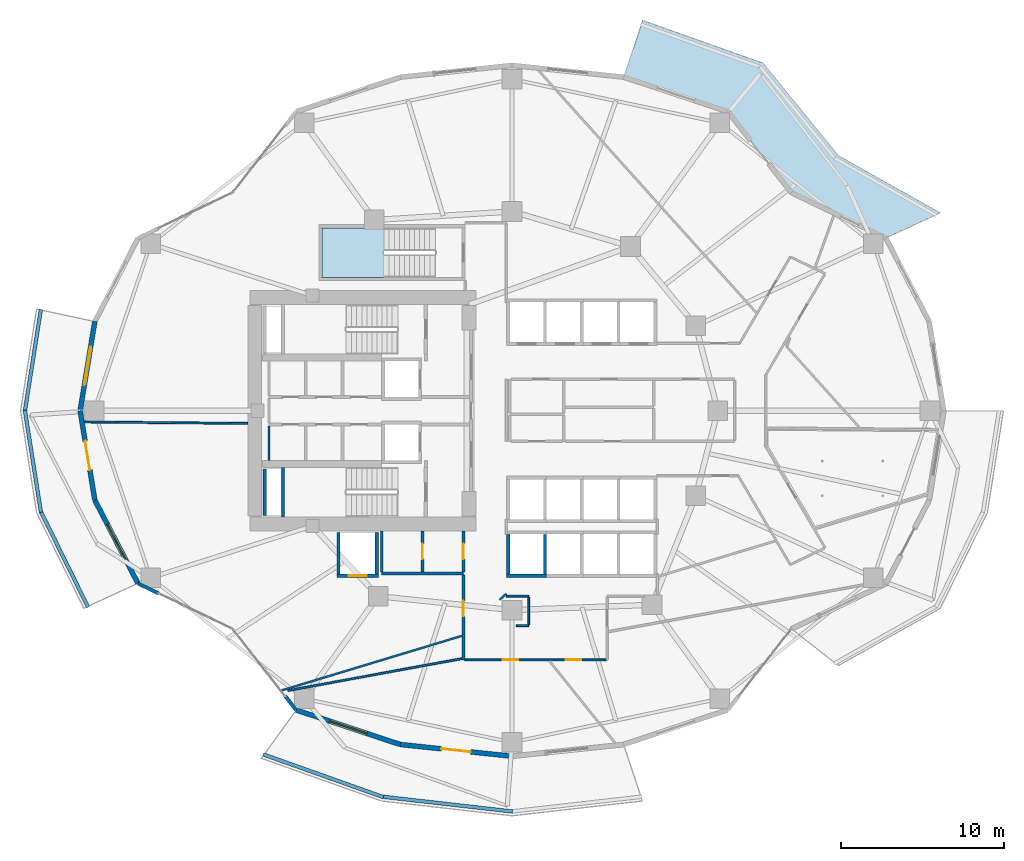
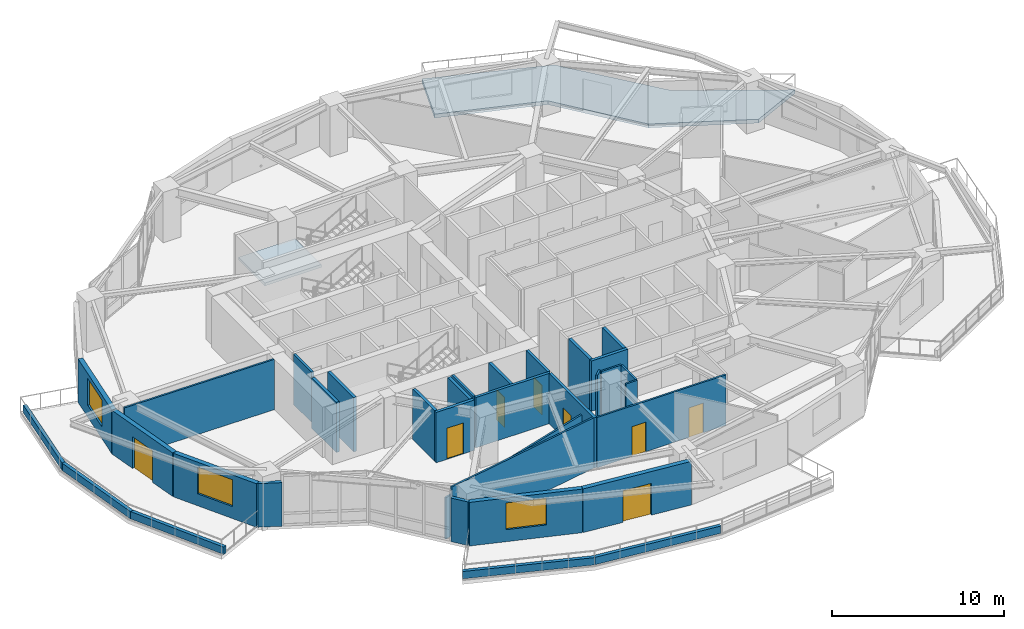
# One storey, part 8 of 18: 34 walls, 8 doors, 3 windows, 2 slabs, 11 openings, 1 element without a shape of its own.
"""IFC4 building model written with IfcOpenShell, lengths in metres."""

from ifc_helpers import new_model, si_unit, direction, frame, frame_2d, origin, place, context, subcontext, project, spatial, polyline, rectangle, outline, extrude, material, layer, layer_set, type_object, element, fill, aggregate, save


model = new_model("IFC4")

# Units and contexts
model_context = context("Model", 3, precision=1e-05, world=origin(), true_north=direction((0.0, 1.0)))
body_context = subcontext(model_context, "Body", "Model", "MODEL_VIEW")
ifc_project = project(units=[si_unit("LENGTHUNIT", "METRE"), si_unit("AREAUNIT", "SQUARE_METRE"), si_unit("VOLUMEUNIT", "CUBIC_METRE"), si_unit("PLANEANGLEUNIT", "RADIAN"), si_unit("MASSUNIT", "GRAM", prefix="KILO")], contexts=[model_context])

# Site, building, storey
site_placement = place(None, origin())
site = spatial("IfcSite", under=ifc_project, at=site_placement, CompositionType="ELEMENT")
building_placement = place(site_placement, origin())
building = spatial("IfcBuilding", under=site, at=building_placement, Name="Kolvaren Gate Tower and Convention Centre", CompositionType="ELEMENT")
storey_placement = place(building_placement, frame((0.0, 0.0, 53.449951171875)))
storey = spatial("IfcBuildingStorey", under=building, at=storey_placement, Name="L12", CompositionType="ELEMENT", Elevation=53.449951171875)

# Slab
ifc_material_1 = material(Name="Concrete C50/60", Category="concrete")
ifc_layer_1 = layer(ifc_material_1, 0.27001953125)
ifc_layer_set_1 = layer_set([ifc_layer_1], Name="Concrete C50/60")
slab_type_1 = type_object("IfcSlabType", Name="STR-SL-BALC-270", PredefinedType="FLOOR", material=ifc_layer_set_1)
slab_1_placement = place(storey_placement, frame((0.0, 0.0, -0.27001953125)))
element("IfcSlab", 1, at=slab_1_placement, inside=storey, type_object=slab_type_1, Name="Tower L12 Planted Balcony Terrace Slab 1 (North)", PredefinedType="FLOOR", context=body_context, shape_type="SweptSolid", body=[
    extrude(outline(polyline([(53.0205078125, 37.574951171875), (47.223876953125, 40.360107421875), (43.34375, 45.31640625), (36.967529296875, 47.42919921875), (38.1298828125, 50.89990234375), (45.485595703125, 48.2841796875), (50.10791015625, 42.613525390625), (56.34326171875, 39.109619140625), (53.0205078125, 37.574951171875)])), origin(), (0.0, 0.0, 1.0), 0.27001953125),
])

# Stair, slab
stair_type = type_object("IfcStairType", Name="STR-STAIR-CORE", PredefinedType="HALF_TURN_STAIR", material=ifc_material_1)
stair_placement = place(storey_placement, origin())
stair = element("IfcStair", 2, at=stair_placement, inside=storey, type_object=stair_type, Name="L12 Tower Mid-Zone Exit Stair ST-T3", PredefinedType="HALF_TURN_STAIR")
ifc_layer_2 = layer(ifc_material_1, 0.199951171875)
ifc_layer_set_2 = layer_set([ifc_layer_2], Name="Concrete C50/60")
slab_type_2 = type_object("IfcSlabType", Name="STR-SL-LAND-200", PredefinedType="LANDING", material=ifc_layer_set_2)
slab_2_placement = place(storey_placement, frame((0.0, 0.0, 1.72509765625)))
slab_2 = element("IfcSlab", 3, at=slab_2_placement, type_object=slab_type_2, Name="ST-T3 landing 1", PredefinedType="LANDING", context=body_context, shape_type="SweptSolid", body=[
    extrude(outline(polyline([(22.300048828125, 38.199951171875), (18.5, 38.199951171875), (18.5, 35.159912109375), (22.300048828125, 35.159912109375), (22.300048828125, 38.199951171875)])), origin(), (0.0, 0.0, 1.0), 0.199951171875),
])
aggregate(stair, [slab_2])

# Wall
ifc_material_2 = material(Name="Autoclaved Aerated Masonry Blockwork Class 4 (4.0 MPa)", Category="masonry")
ifc_layer_3 = layer(ifc_material_2, 0.179931640625)
ifc_layer_set_3 = layer_set([ifc_layer_3], Name="Autoclaved Aerated Masonry Blockwork Class 4 (4.0 MPa)")
wall_type_1 = type_object("IfcWallType", Name="ARCH-WL-COMP-180", PredefinedType="SOLIDWALL", material=ifc_layer_set_3)
wall_1_placement = place(storey_placement, frame((22.14990234375, 17.050048828125, 0.0), z_axis=(0.0, 0.0, 1.0), x_axis=(1.0, 0.0, 0.0)))
element("IfcWall", 4, at=wall_1_placement, inside=storey, type_object=wall_type_1, Name="Interior Partition WL-L12-INT-011", PredefinedType="SOLIDWALL", context=body_context, shape_type="SweptSolid", body=[
    extrude(rectangle(XDim=5.0, YDim=0.179931640625, at=frame_2d((2.5, 0.0))), origin(), (0.0, 0.0, 1.0), 3.570068359375),
])

# Wall, opening, door
wall_2_placement = place(storey_placement, frame((24.64990234375, 17.14208984375, 0.0), z_axis=(0.0, 0.0, 1.0), x_axis=(0.0, 1.0, 0.0)))
wall_2 = element("IfcWall", 5, at=wall_2_placement, inside=storey, type_object=wall_type_1, Name="Interior Partition WL-L12-INT-013", PredefinedType="SOLIDWALL", context=body_context, shape_type="SweptSolid", body=[
    extrude(rectangle(XDim=2.505859375, YDim=0.179931640625, at=frame_2d((1.2529296875, 0.0))), origin(), (0.0, 0.0, 1.0), 3.570068359375),
])
opening_1_placement = place(wall_2_placement, frame((0.778076171875, 0.0, 0.0)))
opening_1 = element("IfcOpeningElement", 6, at=opening_1_placement, cuts=wall_2, Name="Opening DR-01", PredefinedType="OPENING", context=body_context, shape_type="SweptSolid", body=[
    extrude(rectangle(XDim=0.949951171875, YDim=2.10009765625, at=frame_2d((0.47509765625, 1.050048828125))), frame((0.0, 0.099853515625, 0.0), z_axis=(0.0, -1.0, 0.0), x_axis=(1.0, 0.0, 0.0)), (0.0, 0.0, 1.0), 0.199951171875),
])
ifc_material_3 = material(Name="Painted Architectural Steelwork ASTM A500 Grade C 345 MPa", Category="steel")
door_type_1 = type_object("IfcDoorType", Name="ARCH-DR-RISER-950", OperationType="SINGLE_SWING_RIGHT", PredefinedType="DOOR", material=ifc_material_3)
door_1_placement = place(opening_1_placement, origin())
door_1 = element("IfcDoor", 7, at=door_1_placement, inside=storey, type_object=door_type_1, Name="West Valet Store Door", OperationType="SINGLE_SWING_LEFT", OverallHeight=2.10009765625, OverallWidth=0.949951171875, PredefinedType="DOOR", context=body_context, shape_type="SweptSolid", body=[
    extrude(rectangle(XDim=0.949951171875, YDim=2.10009765625, at=frame_2d((0.47509765625, 1.050048828125))), frame((0.0, 0.02490234375, 0.0), z_axis=(0.0, -1.0, 0.0), x_axis=(1.0, 0.0, 0.0)), (0.0, 0.0, 1.0), 0.050048828125),
])
fill(opening_1, door_1)

wall_3_placement = place(storey_placement, frame((27.14990234375, 11.75, 0.0), z_axis=(0.0, 0.0, 1.0), x_axis=(0.0, 1.0, 0.0)))
wall_3 = element("IfcWall", 8, at=wall_3_placement, inside=storey, type_object=wall_type_1, Name="Interior Partition WL-L12-INT-014", PredefinedType="SOLIDWALL", context=body_context, shape_type="SweptSolid", body=[
    extrude(rectangle(XDim=5.2080078125, YDim=0.179931640625, at=frame_2d((2.60400390625, 0.0))), origin(), (0.0, 0.0, 1.0), 3.570068359375),
])
opening_2_placement = place(wall_3_placement, frame((2.668212890625, 0.0, 0.0)))
opening_2 = element("IfcOpeningElement", 9, at=opening_2_placement, cuts=wall_3, Name="Opening DR-01", PredefinedType="OPENING", context=body_context, shape_type="SweptSolid", body=[
    extrude(rectangle(XDim=0.949951171875, YDim=2.10009765625, at=frame_2d((0.47509765625, 1.050048828125))), frame((0.0, 0.099853515625, 0.0), z_axis=(0.0, -1.0, 0.0), x_axis=(1.0, 0.0, 0.0)), (0.0, 0.0, 1.0), 0.199951171875),
])
door_2_placement = place(opening_2_placement, origin())
door_2 = element("IfcDoor", 10, at=door_2_placement, inside=storey, type_object=door_type_1, Name="Grand Client Arrival Foyer Door", OperationType="SINGLE_SWING_LEFT", OverallHeight=2.10009765625, OverallWidth=0.949951171875, PredefinedType="DOOR", context=body_context, shape_type="SweptSolid", body=[
    extrude(rectangle(XDim=0.949951171875, YDim=2.10009765625, at=frame_2d((0.47509765625, 1.050048828125))), frame((0.0, 0.02490234375, 0.0), z_axis=(0.0, -1.0, 0.0), x_axis=(1.0, 0.0, 0.0)), (0.0, 0.0, 1.0), 0.050048828125),
])
fill(opening_2, door_2)

wall_4_placement = place(storey_placement, frame((27.14990234375, 17.14208984375, 0.0), z_axis=(0.0, 0.0, 1.0), x_axis=(0.0, 1.0, 0.0)))
wall_4 = element("IfcWall", 11, at=wall_4_placement, inside=storey, type_object=wall_type_1, Name="Interior Partition WL-L12-INT-014 (2)", PredefinedType="SOLIDWALL", context=body_context, shape_type="SweptSolid", body=[
    extrude(rectangle(XDim=2.505859375, YDim=0.179931640625, at=frame_2d((1.2529296875, 0.0))), origin(), (0.0, 0.0, 1.0), 3.570068359375),
])
opening_3_placement = place(wall_4_placement, frame((0.778076171875, 0.0, 0.0)))
opening_3 = element("IfcOpeningElement", 12, at=opening_3_placement, cuts=wall_4, Name="Opening DR-01", PredefinedType="OPENING", context=body_context, shape_type="SweptSolid", body=[
    extrude(rectangle(XDim=0.949951171875, YDim=2.10009765625, at=frame_2d((0.47509765625, 1.050048828125))), frame((0.0, 0.099853515625, 0.0), z_axis=(0.0, -1.0, 0.0), x_axis=(1.0, 0.0, 0.0)), (0.0, 0.0, 1.0), 0.199951171875),
])
door_3_placement = place(opening_3_placement, origin())
door_3 = element("IfcDoor", 13, at=door_3_placement, inside=storey, type_object=door_type_1, Name="Metering Switch Room Door", OperationType="SINGLE_SWING_RIGHT", OverallHeight=2.10009765625, OverallWidth=0.949951171875, PredefinedType="DOOR", context=body_context, shape_type="SweptSolid", body=[
    extrude(rectangle(XDim=0.949951171875, YDim=2.10009765625, at=frame_2d((0.47509765625, 1.050048828125))), frame((0.0, 0.02490234375, 0.0), z_axis=(0.0, -1.0, 0.0), x_axis=(1.0, 0.0, 0.0)), (0.0, 0.0, 1.0), 0.050048828125),
])
fill(opening_3, door_3)

# Wall
ifc_material_4 = material(Name="Fire-Rated Acoustic Gypsum Stud Partition", Category="gypsum")
ifc_layer_4 = layer(ifc_material_4, 0.1201171875)
ifc_layer_set_4 = layer_set([ifc_layer_4], Name="Fire-Rated Acoustic Gypsum Stud Partition")
wall_type_2 = type_object("IfcWallType", Name="ARCH-WL-PART-120", PredefinedType="PARTITIONING", material=ifc_layer_set_4)
wall_5_placement = place(storey_placement, frame((29.780029296875, 15.64990234375, 0.0), z_axis=(0.0, 0.0, 1.0), x_axis=(1.0, 0.0, 0.0)))
element("IfcWall", 14, at=wall_5_placement, inside=storey, type_object=wall_type_2, Name="Interior Partition WL-L12-INT-022", PredefinedType="PARTITIONING", context=body_context, shape_type="SweptSolid", body=[
    extrude(rectangle(XDim=1.369873046875, YDim=0.1201171875, at=frame_2d((0.68505859375, 0.0))), origin(), (0.0, 0.0, 1.0), 3.570068359375),
])

# Wall, openings, doors
wall_6_placement = place(storey_placement, frame((27.241943359375, 11.75, 0.0), z_axis=(0.0, 0.0, 1.0), x_axis=(1.0, 0.0, 0.0)))
wall_6 = element("IfcWall", 15, at=wall_6_placement, inside=storey, type_object=wall_type_2, Name="Interior Partition WL-L12-INT-025", PredefinedType="PARTITIONING", context=body_context, shape_type="SweptSolid", body=[
    extrude(rectangle(XDim=8.64599609375, YDim=0.1201171875, at=frame_2d((4.322998046875, 0.0))), origin(), (0.0, 0.0, 1.0), 3.570068359375),
])
opening_4_placement = place(wall_6_placement, frame((2.32177734375, 0.0, 0.0)))
opening_4 = element("IfcOpeningElement", 16, at=opening_4_placement, cuts=wall_6, Name="Opening DR-01", PredefinedType="OPENING", context=body_context, shape_type="SweptSolid", body=[
    extrude(rectangle(XDim=0.949951171875, YDim=2.10009765625, at=frame_2d((0.47509765625, 1.050048828125))), frame((0.0, 0.070068359375, 0.0), z_axis=(0.0, -1.0, 0.0), x_axis=(1.0, 0.0, 0.0)), (0.0, 0.0, 1.0), 0.14013671875),
])
opening_5_placement = place(wall_6_placement, frame((6.167236328125, 0.0, 0.0)))
opening_5 = element("IfcOpeningElement", 17, at=opening_5_placement, cuts=wall_6, Name="Opening DR-01", PredefinedType="OPENING", context=body_context, shape_type="SweptSolid", body=[
    extrude(rectangle(XDim=0.949951171875, YDim=2.10009765625, at=frame_2d((0.47509765625, 1.050048828125))), frame((0.0, 0.070068359375, 0.0), z_axis=(0.0, -1.0, 0.0), x_axis=(1.0, 0.0, 0.0)), (0.0, 0.0, 1.0), 0.14013671875),
])
door_4_placement = place(opening_4_placement, origin())
door_4 = element("IfcDoor", 18, at=door_4_placement, inside=storey, type_object=door_type_1, Name="Visitor Arrival Foyer Door", OperationType="SINGLE_SWING_RIGHT", OverallHeight=2.10009765625, OverallWidth=0.949951171875, PredefinedType="DOOR", context=body_context, shape_type="SweptSolid", body=[
    extrude(rectangle(XDim=0.949951171875, YDim=2.10009765625, at=frame_2d((0.47509765625, 1.050048828125))), frame((0.0, 0.02490234375, 0.0), z_axis=(0.0, -1.0, 0.0), x_axis=(1.0, 0.0, 0.0)), (0.0, 0.0, 1.0), 0.050048828125),
])
fill(opening_4, door_4)
door_5_placement = place(opening_5_placement, origin())
door_5 = element("IfcDoor", 19, at=door_5_placement, inside=storey, type_object=door_type_1, Name="Materials Exhibition Boutique Door", OperationType="SINGLE_SWING_LEFT", OverallHeight=2.10009765625, OverallWidth=0.949951171875, PredefinedType="DOOR", context=body_context, shape_type="SweptSolid", body=[
    extrude(rectangle(XDim=0.949951171875, YDim=2.10009765625, at=frame_2d((0.47509765625, 1.050048828125))), frame((0.0, 0.02490234375, 0.0), z_axis=(0.0, -1.0, 0.0), x_axis=(1.0, 0.0, 0.0)), (0.0, 0.0, 1.0), 0.050048828125),
])
fill(opening_5, door_5)

# Walls
wall_7_placement = place(storey_placement, frame((29.366943359375, 15.422119140625, 0.0), z_axis=(0.0, 0.0, 1.0), x_axis=(0.730667420492, 0.682733564893, 0.0)))
element("IfcWall", 20, at=wall_7_placement, inside=storey, type_object=wall_type_2, Name="Interior Partition WL-L12-INT-042", PredefinedType="PARTITIONING", context=body_context, shape_type="SweptSolid", body=[
    extrude(rectangle(XDim=0.5654296875, YDim=0.1201171875, at=frame_2d((0.28271484375, 0.0))), origin(), (0.0, 0.0, 1.0), 3.570068359375),
])
wall_8_placement = place(storey_placement, frame((30.39111328125, 13.85009765625, 0.0), z_axis=(0.0, 0.0, 1.0), x_axis=(1.0, 0.0, 0.0)))
element("IfcWall", 21, at=wall_8_placement, inside=storey, type_object=wall_type_2, Name="Interior Partition WL-L12-INT-043", PredefinedType="PARTITIONING", context=body_context, shape_type="SweptSolid", body=[
    extrude(rectangle(XDim=0.7587890625, YDim=0.1201171875, at=frame_2d((0.37939453125, 0.0))), origin(), (0.0, 0.0, 1.0), 3.570068359375),
])
wall_9_placement = place(storey_placement, frame((31.14990234375, 13.912109375, 0.0), z_axis=(0.0, 0.0, 1.0), x_axis=(0.0, 1.0, 0.0)))
element("IfcWall", 22, at=wall_9_placement, inside=storey, type_object=wall_type_2, Name="Interior Partition WL-L12-INT-044", PredefinedType="PARTITIONING", context=body_context, shape_type="SweptSolid", body=[
    extrude(rectangle(XDim=1.67578125, YDim=0.1201171875, at=frame_2d((0.837890625, 0.0))), origin(), (0.0, 0.0, 1.0), 3.570068359375),
])
wall_10_placement = place(storey_placement, frame((3.954345703125, 26.314453125, 0.0), z_axis=(0.0, 0.0, 1.0), x_axis=(0.999960465282, -0.008892011759, 0.0)))
element("IfcWall", 23, at=wall_10_placement, inside=storey, type_object=wall_type_2, Name="Interior Partition WL-L12-INT-045", PredefinedType="PARTITIONING", context=body_context, shape_type="SweptSolid", body=[
    extrude(rectangle(XDim=9.994140625, YDim=0.1201171875, at=frame_2d((4.9970703125, 0.0))), origin(), (0.0, 0.0, 1.0), 3.570068359375),
])
wall_11_placement = place(storey_placement, frame((16.00244140625, 9.875244140625, 0.0), z_axis=(0.0, 0.0, 1.0), x_axis=(0.957126559036, 0.289670070921, 0.0)))
element("IfcWall", 24, at=wall_11_placement, inside=storey, type_object=wall_type_2, Name="Interior Partition WL-L12-INT-047", PredefinedType="PARTITIONING", context=body_context, shape_type="SweptSolid", body=[
    extrude(rectangle(XDim=11.55078125, YDim=0.1201171875, at=frame_2d((5.775390625, 0.0))), origin(), (0.0, 0.0, 1.0), 2.93408203125),
])
wall_12_placement = place(storey_placement, frame((16.410400390625, 9.871337890625, 0.0), z_axis=(0.0, 0.0, 1.0), x_axis=(0.983545367139, 0.180661315116, 0.0)))
element("IfcWall", 25, at=wall_12_placement, inside=storey, type_object=wall_type_2, Name="Interior Partition WL-L12-INT-050", PredefinedType="PARTITIONING", context=body_context, shape_type="SweptSolid", body=[
    extrude(rectangle(XDim=10.825927734375, YDim=0.1201171875, at=frame_2d((5.4130859375, 0.0))), origin(), (0.0, 0.0, 1.0), 3.570068359375),
])
ifc_material_5 = material(Name="Bogota Sabana Bush-Hammered Sandstone Cladding", Category="masonry")
ifc_layer_5 = layer(ifc_material_5, 0.219970703125)
ifc_layer_set_5 = layer_set([ifc_layer_5], Name="Bogota Sabana Bush-Hammered Sandstone Cladding")
wall_type_3 = type_object("IfcWallType", Name="ARCH-WL-PIER-220", PredefinedType="SOLIDWALL", material=ifc_layer_set_5)
wall_13_placement = place(storey_placement, frame((7.2294921875, 16.425048828125, 0.0), z_axis=(0.0, 0.0, 1.0), x_axis=(0.90135196348, -0.433087332914, 0.0)))
element("IfcWall", 26, at=wall_13_placement, inside=storey, type_object=wall_type_3, Name="Tower L12 Unitised Curtain Wall CW-OFF-UNIT Bay 14 Left Column Pier Wrap", PredefinedType="SOLIDWALL", context=body_context, shape_type="SweptSolid", body=[
    extrude(rectangle(XDim=1.381103515625, YDim=0.219970703125, at=frame_2d((0.6904296875, 0.0))), origin(), (0.0, 0.0, 1.0), 3.093017578125),
])
wall_14_placement = place(storey_placement, frame((16.24267578125, 9.53125, 0.0), z_axis=(0.0, 0.0, 1.0), x_axis=(0.616418327775, -0.787418849903, 0.0)))
element("IfcWall", 27, at=wall_14_placement, inside=storey, type_object=wall_type_3, Name="Tower L12 Unitised Curtain Wall CW-OFF-UNIT Bay 15 Right Column Pier Wrap", PredefinedType="SOLIDWALL", context=body_context, shape_type="SweptSolid", body=[
    extrude(rectangle(XDim=1.076416015625, YDim=0.219970703125, at=frame_2d((0.5380859375, 0.0))), origin(), (0.0, 0.0, 1.0), 3.093017578125),
])
ifc_material_6 = material(Name="Piedmont Cream Honed Limestone Cladding", Category="masonry")
ifc_layer_6 = layer(ifc_material_6, 0.219970703125)
ifc_layer_set_6 = layer_set([ifc_layer_6], Name="Piedmont Cream Honed Limestone Cladding")
wall_type_4 = type_object("IfcWallType", Name="ARCH-WL-PLANTER-220", PredefinedType="PARAPET", material=ifc_layer_set_6)
for number, where, z_axis, x_axis, name in (
    (28, (0.305908203125, 26.970703125, 0.0), (0.0, 0.0, 1.0), (0.15545655238, 0.987842730561, 0.0), "Vertical-Forest Balcony Stone Planter Kerb PK-L12-2.1"),
    (29, (0.305908203125, 27.029296875, 0.0), (0.0, 0.0, 1.0), (0.15545655238, -0.987842730561, 0.0), "Vertical-Forest Balcony Stone Planter Kerb PK-L12-2.2"),
):
    element("IfcWall", number, at=place(storey_placement, frame(where, z_axis=z_axis, x_axis=x_axis)), inside=storey, type_object=wall_type_4, Name=name, PredefinedType="PARAPET", context=body_context, shape_type="SweptSolid", body=[
        extrude(rectangle(XDim=6.318115234375, YDim=0.219970703125, at=frame_2d((3.1591796875, 0.0))), origin(), (0.0, 0.0, 1.0), 0.52001953125),
    ])
wall_15_placement = place(storey_placement, frame((1.275390625, 20.846923828125, 0.0), z_axis=(0.0, 0.0, 1.0), x_axis=(0.442686636348, -0.89667638644, 0.0)))
element("IfcWall", 30, at=wall_15_placement, inside=storey, type_object=wall_type_4, Name="Vertical-Forest Balcony Stone Planter Kerb PK-L12-2.3", PredefinedType="PARAPET", context=body_context, shape_type="SweptSolid", body=[
    extrude(rectangle(XDim=6.544677734375, YDim=0.219970703125, at=frame_2d((3.2724609375, 0.0))), origin(), (0.0, 0.0, 1.0), 0.52001953125),
])
wall_16_placement = place(storey_placement, frame((14.892822265625, 5.964599609375, 0.0), z_axis=(0.0, 0.0, 1.0), x_axis=(0.942203722205, -0.335040513764, 0.0)))
element("IfcWall", 31, at=wall_16_placement, inside=storey, type_object=wall_type_4, Name="Vertical-Forest Balcony Stone Planter Kerb PK-L12-3.1", PredefinedType="PARAPET", context=body_context, shape_type="SweptSolid", body=[
    extrude(rectangle(XDim=7.80712890625, YDim=0.219970703125, at=frame_2d((3.903564453125, 0.0))), origin(), (0.0, 0.0, 1.0), 0.52001953125),
])
wall_17_placement = place(storey_placement, frame((22.16552734375, 3.37646484375, 0.0), z_axis=(0.0, 0.0, 1.0), x_axis=(0.993598144351, -0.112972242349, 0.0)))
element("IfcWall", 32, at=wall_17_placement, inside=storey, type_object=wall_type_4, Name="Vertical-Forest Balcony Stone Planter Kerb PK-L12-3.2", PredefinedType="PARAPET", context=body_context, shape_type="SweptSolid", body=[
    extrude(rectangle(XDim=8.056396484375, YDim=0.219970703125, at=frame_2d((4.0283203125, 0.0))), origin(), (0.0, 0.0, 1.0), 0.52001953125),
])

# Wall, opening, door
ifc_layer_7 = layer(ifc_material_2, 0.199951171875)
ifc_layer_set_7 = layer_set([ifc_layer_7], Name="Autoclaved Aerated Masonry Blockwork Class 4 (4.0 MPa)")
wall_type_5 = type_object("IfcWallType", Name="ARCH-WL-SHAFT-200", PredefinedType="SOLIDWALL", material=ifc_layer_set_7)
wall_18_placement = place(storey_placement, frame((19.39990234375, 16.89990234375, 0.0), z_axis=(0.0, 0.0, 1.0), x_axis=(1.0, 0.0, 0.0)))
wall_18 = element("IfcWall", 33, at=wall_18_placement, inside=storey, type_object=wall_type_5, Name="Elevator SV-01 L12 Fire Shaft Wall S", PredefinedType="SOLIDWALL", context=body_context, shape_type="SweptSolid", body=[
    extrude(rectangle(XDim=2.550048828125, YDim=0.199951171875, at=frame_2d((1.27490234375, 0.0))), origin(), (0.0, 0.0, 1.0), 3.570068359375),
])
opening_6_placement = place(wall_18_placement, frame((0.72509765625, 0.0, 0.0)))
opening_6 = element("IfcOpeningElement", 34, at=opening_6_placement, cuts=wall_18, Name="Opening LD", PredefinedType="OPENING", context=body_context, shape_type="SweptSolid", body=[
    extrude(rectangle(XDim=1.10009765625, YDim=2.199951171875, at=frame_2d((0.550048828125, 1.10009765625))), frame((0.0, 0.10986328125, 0.0), z_axis=(0.0, -1.0, 0.0), x_axis=(1.0, 0.0, 0.0)), (0.0, 0.0, 1.0), 0.219970703125),
])
ifc_material_7 = material(Name="Brushed Stainless Steel Grade 316L", Category="steel")
door_type_2 = type_object("IfcDoorType", Name="ARCH-DR-LIFT-1100", OperationType="SLIDING_TO_LEFT", PredefinedType="DOOR", material=ifc_material_7)
door_6_placement = place(opening_6_placement, origin())
door_6 = element("IfcDoor", 35, at=door_6_placement, inside=storey, type_object=door_type_2, Name="Elevator SV-01 L12 Sliding Landing Door", OperationType="SLIDING_TO_LEFT", OverallHeight=2.199951171875, OverallWidth=1.10009765625, PredefinedType="DOOR", context=body_context, shape_type="SweptSolid", body=[
    extrude(rectangle(XDim=1.10009765625, YDim=2.199951171875, at=frame_2d((0.550048828125, 1.10009765625))), frame((0.0, 0.02490234375, 0.0), z_axis=(0.0, -1.0, 0.0), x_axis=(1.0, 0.0, 0.0)), (0.0, 0.0, 1.0), 0.050048828125),
])
fill(opening_6, door_6)

# Walls
for number, where, z_axis, x_axis, name in (
    (36, (19.5, 17.010009765625, 0.0), (0.0, 0.0, 1.0), (0.0, 1.0, 0.0), "Elevator SV-01 L12 Fire Shaft Wall W"),
    (37, (21.85009765625, 17.010009765625, 0.0), (0.0, 0.0, 1.0), (0.0, 1.0, 0.0), "Elevator SV-01 L12 Fire Shaft Wall E"),
):
    element("IfcWall", number, at=place(storey_placement, frame(where, z_axis=z_axis, x_axis=x_axis)), inside=storey, type_object=wall_type_5, Name=name, PredefinedType="SOLIDWALL", context=body_context, shape_type="SweptSolid", body=[
        extrude(rectangle(XDim=2.530029296875, YDim=0.199951171875, at=frame_2d((1.26513671875, 0.0))), origin(), (0.0, 0.0, 1.0), 3.570068359375),
    ])
wall_19_placement = place(storey_placement, frame((29.800048828125, 16.89990234375, 0.0), z_axis=(0.0, 0.0, 1.0), x_axis=(1.0, 0.0, 0.0)))
element("IfcWall", 38, at=wall_19_placement, inside=storey, type_object=wall_type_5, Name="Elevator PL-05 L12 Fire Shaft Wall S", PredefinedType="SOLIDWALL", context=body_context, shape_type="SweptSolid", body=[
    extrude(rectangle(XDim=2.449951171875, YDim=0.199951171875, at=frame_2d((1.22509765625, 0.0))), origin(), (0.0, 0.0, 1.0), 3.570068359375),
])
for number, where, z_axis, x_axis, name in (
    (39, (29.89990234375, 17.010009765625, 0.0), (0.0, 0.0, 1.0), (0.0, 1.0, 0.0), "Elevator PL-05 L12 Fire Shaft Wall W"),
    (40, (32.14990234375, 17.010009765625, 0.0), (0.0, 0.0, 1.0), (0.0, 1.0, 0.0), "Elevator PL-05 L12 Fire Shaft Wall E"),
):
    element("IfcWall", number, at=place(storey_placement, frame(where, z_axis=z_axis, x_axis=x_axis)), inside=storey, type_object=wall_type_5, Name=name, PredefinedType="SOLIDWALL", context=body_context, shape_type="SweptSolid", body=[
        extrude(rectangle(XDim=2.429931640625, YDim=0.199951171875, at=frame_2d((1.21484375, 0.0))), origin(), (0.0, 0.0, 1.0), 3.570068359375),
    ])
wall_20_placement = place(storey_placement, frame((14.989990234375, 20.60009765625, 0.0), z_axis=(0.0, 0.0, 1.0), x_axis=(0.0, 1.0, 0.0)))
element("IfcWall", 41, at=wall_20_placement, inside=storey, type_object=wall_type_5, Name="Vertical Shaft MPR L12 EI-120 Enclosure Wall W", PredefinedType="SOLIDWALL", context=body_context, shape_type="SweptSolid", body=[
    extrude(rectangle(XDim=2.849853515625, YDim=0.199951171875, at=frame_2d((1.4248046875, 0.0))), origin(), (0.0, 0.0, 1.0), 3.570068359375),
])

# Wall, opening, window
ifc_layer_8 = layer(ifc_material_6, 0.300048828125)
ifc_layer_set_8 = layer_set([ifc_layer_8], Name="Piedmont Cream Honed Limestone Cladding")
wall_type_6 = type_object("IfcWallType", Name="ARCH-WL-STONE-300", PredefinedType="SOLIDWALL", material=ifc_layer_set_8)
wall_21_placement = place(storey_placement, frame((3.6875, 27.0, 0.0), z_axis=(0.0, 0.0, 1.0), x_axis=(0.162386212206, 0.986727276447, 0.0)))
wall_21 = element("IfcWall", 42, at=wall_21_placement, inside=storey, type_object=wall_type_6, Name="Tower L12 Honed Stone Spandrel Wall EW-11", PredefinedType="SOLIDWALL", context=body_context, shape_type="SweptSolid", body=[
    extrude(rectangle(XDim=5.5478515625, YDim=0.300048828125, at=frame_2d((2.77392578125, 0.0))), origin(), (0.0, 0.0, 1.0), 3.093017578125),
])
opening_7_placement = place(wall_21_placement, frame((1.573974609375, 0.0, 0.85009765625)))
opening_7 = element("IfcOpeningElement", 43, at=opening_7_placement, cuts=wall_21, Name="Opening W-01", PredefinedType="OPENING", context=body_context, shape_type="SweptSolid", body=[
    extrude(rectangle(XDim=2.39990234375, YDim=1.89990234375, at=frame_2d((1.199951171875, 0.949951171875))), frame((0.0, 0.159912109375, 0.0), z_axis=(0.0, -1.0, 0.0), x_axis=(1.0, 0.0, 0.0)), (0.0, 0.0, 1.0), 0.320068359375),
])
ifc_material_8 = material(Name="Low-E Triple Insulated Glazing Unit 44 mm", Category="glass")
window_type = type_object("IfcWindowType", Name="ARCH-WN-OFF-2400", PartitioningType="SINGLE_PANEL", PredefinedType="WINDOW", material=ifc_material_8)
window_1_placement = place(opening_7_placement, origin())
window_1 = element("IfcWindow", 44, at=window_1_placement, inside=storey, type_object=window_type, Name="Tower L12 Punched Stone Facade Window W-11", OverallHeight=1.89990234375, OverallWidth=2.39990234375, PartitioningType="SINGLE_PANEL", PredefinedType="WINDOW", context=body_context, shape_type="SweptSolid", body=[
    extrude(rectangle(XDim=2.39990234375, YDim=1.89990234375, at=frame_2d((1.199951171875, 0.949951171875))), frame((0.0, 0.030029296875, 0.0), z_axis=(0.0, -1.0, 0.0), x_axis=(1.0, 0.0, 0.0)), (0.0, 0.0, 1.0), 0.06005859375),
])
fill(opening_7, window_1)

# Wall, opening, door
wall_22_placement = place(storey_placement, frame((3.6875, 27.0, 0.0), z_axis=(0.0, 0.0, 1.0), x_axis=(0.162386212206, -0.986727276447, 0.0)))
wall_22 = element("IfcWall", 45, at=wall_22_placement, inside=storey, type_object=wall_type_6, Name="Tower L12 Honed Stone Spandrel Wall EW-12", PredefinedType="SOLIDWALL", context=body_context, shape_type="SweptSolid", body=[
    extrude(rectangle(XDim=5.5478515625, YDim=0.300048828125, at=frame_2d((2.77392578125, 0.0))), origin(), (0.0, 0.0, 1.0), 3.093017578125),
])
opening_8_placement = place(wall_22_placement, frame((1.8740234375, 0.0, 0.0)))
opening_8 = element("IfcOpeningElement", 46, at=opening_8_placement, cuts=wall_22, Name="Opening DB-01", PredefinedType="OPENING", context=body_context, shape_type="SweptSolid", body=[
    extrude(rectangle(XDim=1.800048828125, YDim=2.25, at=frame_2d((0.89990234375, 1.125))), frame((0.0, 0.159912109375, 0.0), z_axis=(0.0, -1.0, 0.0), x_axis=(1.0, 0.0, 0.0)), (0.0, 0.0, 1.0), 0.320068359375),
])
ifc_material_9 = material(Name="Anodized Architectural Aluminium Alloy 6063-T6", Category="aluminium")
door_type_3 = type_object("IfcDoorType", Name="ARCH-DR-BALC-1800", OperationType="SLIDING_TO_LEFT", PredefinedType="DOOR", material=ifc_material_9)
door_7_placement = place(opening_8_placement, frame((1.800048828125, 0.0, 0.0), z_axis=(0.0, 0.0, 1.0), x_axis=(-1.0, 0.0, 0.0)))
door_7 = element("IfcDoor", 47, at=door_7_placement, inside=storey, type_object=door_type_3, Name="Planted Sky Terrace Access Door DB-L12-12", OperationType="SLIDING_TO_LEFT", OverallHeight=2.25, OverallWidth=1.800048828125, PredefinedType="DOOR", context=body_context, shape_type="SweptSolid", body=[
    extrude(rectangle(XDim=1.800048828125, YDim=2.25, at=frame_2d((0.89990234375, 1.125))), frame((0.0, 0.02490234375, 0.0), z_axis=(0.0, -1.0, 0.0), x_axis=(1.0, 0.0, 0.0)), (0.0, 0.0, 1.0), 0.050048828125),
])
fill(opening_8, door_7)

# Wall, opening, window
wall_23_placement = place(storey_placement, frame((4.58837890625, 21.52587890625, 0.0), z_axis=(0.0, 0.0, 1.0), x_axis=(0.459800981414, -0.888021991558, 0.0)))
wall_23 = element("IfcWall", 48, at=wall_23_placement, inside=storey, type_object=wall_type_6, Name="Tower L12 Honed Stone Spandrel Wall EW-13", PredefinedType="SOLIDWALL", context=body_context, shape_type="SweptSolid", body=[
    extrude(rectangle(XDim=5.744140625, YDim=0.300048828125, at=frame_2d((2.8720703125, 0.0))), origin(), (0.0, 0.0, 1.0), 3.093017578125),
])
opening_9_placement = place(wall_23_placement, frame((1.672119140625, 0.0, 0.85009765625)))
opening_9 = element("IfcOpeningElement", 49, at=opening_9_placement, cuts=wall_23, Name="Opening W-01", PredefinedType="OPENING", context=body_context, shape_type="SweptSolid", body=[
    extrude(rectangle(XDim=2.39990234375, YDim=1.89990234375, at=frame_2d((1.199951171875, 0.949951171875))), frame((0.0, 0.159912109375, 0.0), z_axis=(0.0, -1.0, 0.0), x_axis=(1.0, 0.0, 0.0)), (0.0, 0.0, 1.0), 0.320068359375),
])
window_2_placement = place(opening_9_placement, origin())
window_2 = element("IfcWindow", 50, at=window_2_placement, inside=storey, type_object=window_type, Name="Tower L12 Punched Stone Facade Window W-13", OverallHeight=1.89990234375, OverallWidth=2.39990234375, PartitioningType="SINGLE_PANEL", PredefinedType="WINDOW", context=body_context, shape_type="SweptSolid", body=[
    extrude(rectangle(XDim=2.39990234375, YDim=1.89990234375, at=frame_2d((1.199951171875, 0.949951171875))), frame((0.0, 0.030029296875, 0.0), z_axis=(0.0, -1.0, 0.0), x_axis=(1.0, 0.0, 0.0)), (0.0, 0.0, 1.0), 0.06005859375),
])
fill(opening_9, window_2)

wall_24_placement = place(storey_placement, frame((16.90625, 8.68359375, 0.0), z_axis=(0.0, 0.0, 1.0), x_axis=(0.949245153629, -0.314537181127, 0.0)))
wall_24 = element("IfcWall", 51, at=wall_24_placement, inside=storey, type_object=wall_type_6, Name="Tower L12 Honed Stone Spandrel Wall EW-16", PredefinedType="SOLIDWALL", context=body_context, shape_type="SweptSolid", body=[
    extrude(rectangle(XDim=6.717041015625, YDim=0.300048828125, at=frame_2d((3.3583984375, 0.0))), origin(), (0.0, 0.0, 1.0), 3.093017578125),
])
opening_10_placement = place(wall_24_placement, frame((2.158935546875, 0.0, 0.85009765625)))
opening_10 = element("IfcOpeningElement", 52, at=opening_10_placement, cuts=wall_24, Name="Opening W-01", PredefinedType="OPENING", context=body_context, shape_type="SweptSolid", body=[
    extrude(rectangle(XDim=2.39990234375, YDim=1.89990234375, at=frame_2d((1.199951171875, 0.949951171875))), frame((0.0, 0.159912109375, 0.0), z_axis=(0.0, -1.0, 0.0), x_axis=(1.0, 0.0, 0.0)), (0.0, 0.0, 1.0), 0.320068359375),
])
window_3_placement = place(opening_10_placement, origin())
window_3 = element("IfcWindow", 53, at=window_3_placement, inside=storey, type_object=window_type, Name="Tower L12 Punched Stone Facade Window W-16", OverallHeight=1.89990234375, OverallWidth=2.39990234375, PartitioningType="SINGLE_PANEL", PredefinedType="WINDOW", context=body_context, shape_type="SweptSolid", body=[
    extrude(rectangle(XDim=2.39990234375, YDim=1.89990234375, at=frame_2d((1.199951171875, 0.949951171875))), frame((0.0, 0.030029296875, 0.0), z_axis=(0.0, -1.0, 0.0), x_axis=(1.0, 0.0, 0.0)), (0.0, 0.0, 1.0), 0.06005859375),
])
fill(opening_10, window_3)

# Wall, opening, door
wall_25_placement = place(storey_placement, frame((23.282470703125, 6.57080078125, 0.0), z_axis=(0.0, 0.0, 1.0), x_axis=(0.994498840295, -0.104747585419, 0.0)))
wall_25 = element("IfcWall", 54, at=wall_25_placement, inside=storey, type_object=wall_type_6, Name="Tower L12 Honed Stone Spandrel Wall EW-17", PredefinedType="SOLIDWALL", context=body_context, shape_type="SweptSolid", body=[
    extrude(rectangle(XDim=6.88037109375, YDim=0.300048828125, at=frame_2d((3.440185546875, 0.0))), origin(), (0.0, 0.0, 1.0), 3.093017578125),
])
opening_11_placement = place(wall_25_placement, frame((2.5400390625, 0.0, 0.0)))
opening_11 = element("IfcOpeningElement", 55, at=opening_11_placement, cuts=wall_25, Name="Opening DB-01", PredefinedType="OPENING", context=body_context, shape_type="SweptSolid", body=[
    extrude(rectangle(XDim=1.800048828125, YDim=2.25, at=frame_2d((0.89990234375, 1.125))), frame((0.0, 0.159912109375, 0.0), z_axis=(0.0, -1.0, 0.0), x_axis=(1.0, 0.0, 0.0)), (0.0, 0.0, 1.0), 0.320068359375),
])
door_8_placement = place(opening_11_placement, frame((1.800048828125, 0.0, 0.0), z_axis=(0.0, 0.0, 1.0), x_axis=(-1.0, 0.0, 0.0)))
door_8 = element("IfcDoor", 56, at=door_8_placement, inside=storey, type_object=door_type_3, Name="Planted Sky Terrace Access Door DB-L12-17", OperationType="SLIDING_TO_LEFT", OverallHeight=2.25, OverallWidth=1.800048828125, PredefinedType="DOOR", context=body_context, shape_type="SweptSolid", body=[
    extrude(rectangle(XDim=1.800048828125, YDim=2.25, at=frame_2d((0.89990234375, 1.125))), frame((0.0, 0.02490234375, 0.0), z_axis=(0.0, -1.0, 0.0), x_axis=(1.0, 0.0, 0.0)), (0.0, 0.0, 1.0), 0.050048828125),
])
fill(opening_11, door_8)

# Walls
ifc_material_10 = material(Name="Moisture-Resistant Cement-Board Acoustic Partition", Category="gypsum")
ifc_layer_9 = layer(ifc_material_10, 0.14990234375)
ifc_layer_set_9 = layer_set([ifc_layer_9], Name="Moisture-Resistant Cement-Board Acoustic Partition")
wall_type_7 = type_object("IfcWallType", Name="ARCH-WL-WET-150", PredefinedType="PARTITIONING", material=ifc_layer_set_9)
wall_26_placement = place(storey_placement, frame((15.25, 23.9619140625, 0.0), z_axis=(0.0, 0.0, 1.0), x_axis=(0.0, 1.0, 0.0)))
element("IfcWall", 57, at=wall_26_placement, inside=storey, type_object=wall_type_7, Name="Interior Partition WL-L12-INT-006", PredefinedType="PARTITIONING", context=body_context, shape_type="SweptSolid", body=[
    extrude(rectangle(XDim=2.106201171875, YDim=0.14990234375, at=frame_2d((1.05322265625, 0.0))), origin(), (0.0, 0.0, 1.0), 3.570068359375),
])
wall_27_placement = place(storey_placement, frame((22.14990234375, 17.14208984375, 0.0), z_axis=(0.0, 0.0, 1.0), x_axis=(0.0, 1.0, 0.0)))
element("IfcWall", 58, at=wall_27_placement, inside=storey, type_object=wall_type_7, Name="Interior Partition WL-L12-INT-012", PredefinedType="PARTITIONING", context=body_context, shape_type="SweptSolid", body=[
    extrude(rectangle(XDim=2.505859375, YDim=0.14990234375, at=frame_2d((1.2529296875, 0.0))), origin(), (0.0, 0.0, 1.0), 3.570068359375),
])
ifc_layer_10 = layer(ifc_material_1, 0.199951171875)
ifc_layer_set_10 = layer_set([ifc_layer_10], Name="Concrete C50/60")
wall_type_8 = type_object("IfcWallType", Name="STR-WL-SHAFT-200", PredefinedType="SHEAR", material=ifc_layer_set_10)
wall_28_placement = place(storey_placement, frame((16.10009765625, 20.501953125, -0.280029296875), z_axis=(0.0, 0.0, 1.0), x_axis=(0.0, 1.0, 0.0)))
element("IfcWall", 59, at=wall_28_placement, inside=storey, type_object=wall_type_8, Name="Tower South Exit Stair ST-T2 L12 Structural Shear Enclosure Wall FAR", PredefinedType="SHEAR", context=body_context, shape_type="SweptSolid", body=[
    extrude(rectangle(XDim=3.0361328125, YDim=0.199951171875, at=frame_2d((1.51806640625, 0.0))), origin(), (0.0, 0.0, 1.0), 3.85009765625),
])

save(model, "model.ifc")
